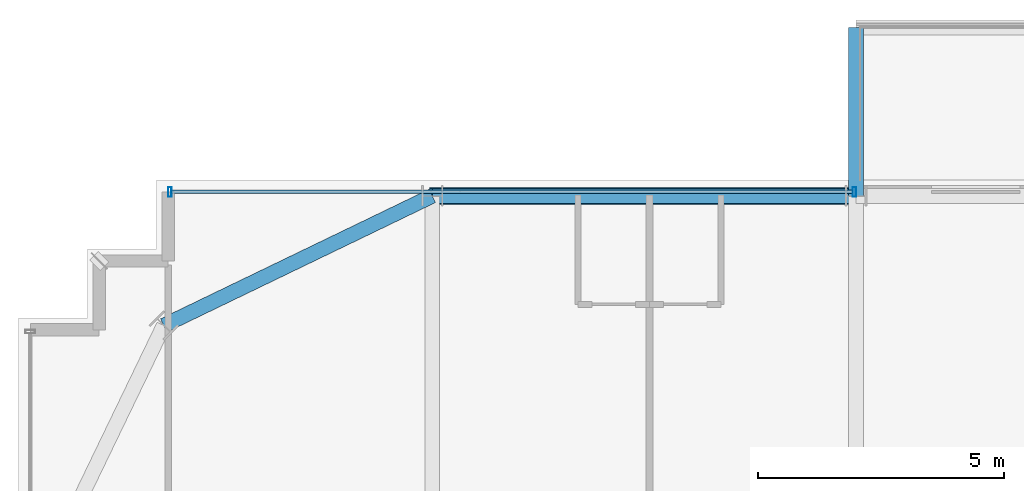
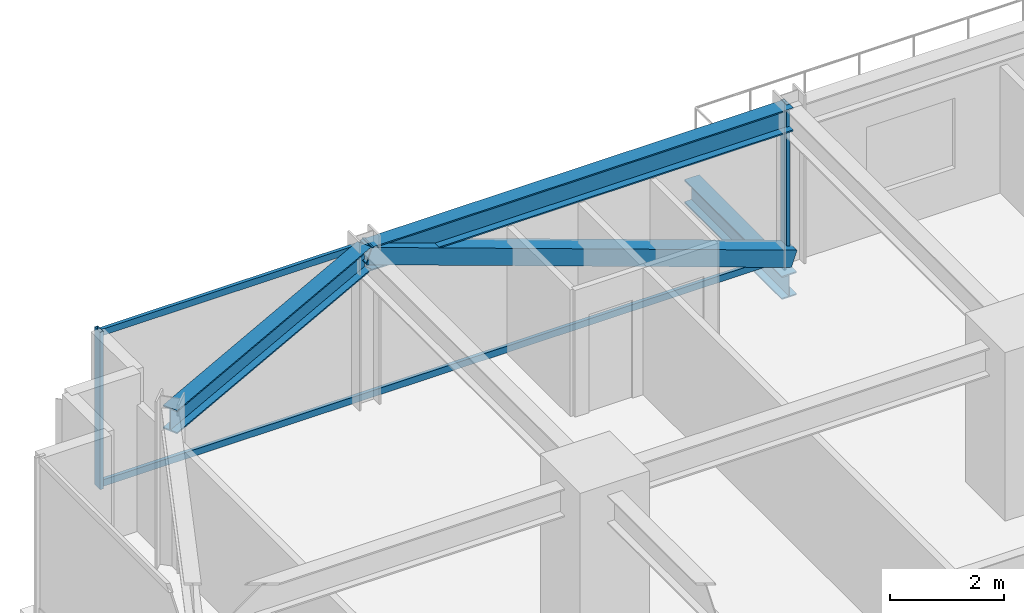
# One storey, part 28 of 47: 5 members, 3 beams, 1 element without a shape of its own.
"""IFC4 building model written with IfcOpenShell, lengths in metres."""

from ifc_helpers import new_model, si_unit, direction, frame, origin, origin_2d, place, context, subcontext, project, spatial, hollow_rectangle, i_section, extrude, source, transform, mapped, material, material_profile, profile_set, type_object, element, aggregate, save


model = new_model("IFC4")

# Units and contexts
model_context = context("Model", 3, precision=1e-05, world=origin(), true_north=direction((0.0, 1.0)))
body_context = subcontext(model_context, "Body", "Model", "MODEL_VIEW")
ifc_project = project(units=[si_unit("LENGTHUNIT", "METRE"), si_unit("AREAUNIT", "SQUARE_METRE"), si_unit("VOLUMEUNIT", "CUBIC_METRE"), si_unit("PLANEANGLEUNIT", "RADIAN"), si_unit("MASSUNIT", "GRAM", prefix="KILO")], contexts=[model_context])

# Site, building, storey
site_placement = place(None, origin())
site = spatial("IfcSite", under=ifc_project, at=site_placement, CompositionType="ELEMENT")
building_placement = place(site_placement, origin())
building = spatial("IfcBuilding", under=site, at=building_placement, Name="Nahalor Promenade Grand Hotel", CompositionType="ELEMENT")
storey_placement = place(building_placement, frame((0.0, 0.0, 68.89990234375)))
storey = spatial("IfcBuildingStorey", under=building, at=storey_placement, Name="L16", CompositionType="ELEMENT", Elevation=68.89990234375)

# Beams
ifc_material_1 = material(Name="Steel S355JR", Category="steel")
ifc_material_profile_1 = material_profile(ifc_material_1, i_section(OverallWidth=0.3, OverallDepth=0.5, WebThickness=0.0145, FlangeThickness=0.028, at=origin_2d()), Name="HEB 500")
ifc_profile_set_1 = profile_set([ifc_material_profile_1], Name="Steel S355JR")
beam_type_1 = type_object("IfcBeamType", Name="Beam-Outrigger-HEB500", PredefinedType="BEAM", material=ifc_profile_set_1)
shared_shape_1 = source(origin(), body_context, "Body", "SweptSolid", [
    extrude(i_section(OverallWidth=0.3, OverallDepth=0.5, WebThickness=0.0145, FlangeThickness=0.028, at=origin_2d()), origin(), (0.0, 0.0, 1.0), 3.419921875),
])
beam_1_placement = place(storey_placement, frame((-8.39990234375, 25.080078125, -0.52978515625), z_axis=(0.0, 1.0, 0.0), x_axis=(-1.0, 0.0, 0.0)))
element("IfcBeam", 1, at=beam_1_placement, inside=storey, type_object=beam_type_1, Name="BM-L16-BC-01-1", PredefinedType="BEAM", context=body_context, shape_type="MappedRepresentation", body=[
    mapped(shared_shape_1, transform((0.0, 0.0, 0.0), scale=1.0)),
])
ifc_material_profile_2 = material_profile(ifc_material_1, i_section(OverallWidth=0.3, OverallDepth=0.5, WebThickness=0.0145, FlangeThickness=0.028, at=origin_2d()), Name="HEB 500")
ifc_profile_set_2 = profile_set([ifc_material_profile_2], Name="Steel S355JR")
beam_type_2 = type_object("IfcBeamType", Name="Beam-Spandrel-HEB500", PredefinedType="SPANDREL", material=ifc_profile_set_2)
shared_shape_2 = source(origin(), body_context, "Body", "SweptSolid", [
    extrude(i_section(OverallWidth=0.3, OverallDepth=0.5, WebThickness=0.0145, FlangeThickness=0.028, at=origin_2d()), origin(), (0.0, 0.0, 1.0), 8.60009765625),
])
beam_2_placement = place(storey_placement, frame((-17.0, 25.080078125, 3.1201171875), z_axis=(1.0, 0.0, 0.0), x_axis=(0.0, 1.0, 0.0)))
element("IfcBeam", 2, at=beam_2_placement, inside=storey, type_object=beam_type_2, Name="BM-L16-SP-N-0", PredefinedType="SPANDREL", context=body_context, shape_type="MappedRepresentation", body=[
    mapped(shared_shape_2, transform((0.0, 0.0, 0.0), scale=1.0)),
])
shared_shape_3 = source(origin(), body_context, "Body", "SweptSolid", [
    extrude(i_section(OverallWidth=0.3, OverallDepth=0.5, WebThickness=0.0145, FlangeThickness=0.028, at=origin_2d()), origin(), (0.0, 0.0, 1.0), 6.051513671875),
])
beam_3_placement = place(storey_placement, frame((-17.0, 25.080078125, 3.1201171875), z_axis=(-0.900608818852, -0.434630596492, 0.0), x_axis=(0.434630596492, -0.900608818852, 0.0)))
element("IfcBeam", 3, at=beam_3_placement, inside=storey, type_object=beam_type_2, Name="BM-L16-SPC-NW-1", PredefinedType="SPANDREL", context=body_context, shape_type="MappedRepresentation", body=[
    mapped(shared_shape_3, transform((0.0, 0.0, 0.0), scale=1.0)),
])

# Member
ifc_material_profile_3 = material_profile(ifc_material_1, hollow_rectangle(XDim=0.35, YDim=0.35, WallThickness=0.02, at=origin_2d()), Name="SHS 350x350x20")
ifc_profile_set_3 = profile_set([ifc_material_profile_3], Name="Steel S355JR")
member_type_1 = type_object("IfcMemberType", Name="Mem-VoidBrace-SHS350", PredefinedType="BRACE", material=ifc_profile_set_3)
shared_shape_4 = source(origin(), body_context, "Body", "SweptSolid", [
    extrude(hollow_rectangle(XDim=0.35, YDim=0.35, WallThickness=0.02, at=origin_2d()), origin(), (0.0, 0.0, 1.0), 9.131591796875),
])
member_1_placement = place(storey_placement, frame((-8.39990234375, 25.080078125, 0.150146484375), z_axis=(-0.941790292179, 0.0, 0.336200900589), x_axis=(0.0, -1.0, 0.0)))
element("IfcMember", 4, at=member_1_placement, inside=storey, type_object=member_type_1, Name="EXO-L16-N-0", PredefinedType="BRACE", context=body_context, shape_type="MappedRepresentation", body=[
    mapped(shared_shape_4, transform((0.0, 0.0, 0.0), scale=1.0)),
])

# Curtain wall, members
ifc_material_2 = material(Name="Anodised Bronze Aluminium EN AW-6063 T6", Category="aluminium")
curtain_wall_type = type_object("IfcCurtainWallType", Name="CW3 Elliptical-Void Collar Unitised Curtain Wall", PredefinedType="USERDEFINED", material=ifc_material_2)
curtain_wall_placement = place(storey_placement, origin())
curtain_wall = element("IfcCurtainWall", 5, at=curtain_wall_placement, inside=storey, type_object=curtain_wall_type, Name="L16 Curtain Wall CW-L16-N-1", ObjectType="UNITISED_CURTAIN_WALL", PredefinedType="USERDEFINED")
ifc_material_profile_4 = material_profile(ifc_material_2, hollow_rectangle(XDim=0.07, YDim=0.2, WallThickness=0.005, at=origin_2d()), Name="CWM 70x200x5")
ifc_profile_set_4 = profile_set([ifc_material_profile_4], Name="Anodised Bronze Aluminium EN AW-6063 T6")
member_type_2 = type_object("IfcMemberType", Name="CWM3 Void Collar Mullion 70x200", PredefinedType="MULLION", material=ifc_profile_set_4)
shared_shape_5 = source(origin(), body_context, "Body", "SweptSolid", [
    extrude(hollow_rectangle(XDim=0.07, YDim=0.2, WallThickness=0.005, at=origin_2d()), origin(), (0.0, 0.0, 1.0), 3.3701171875),
])
member_2_placement = place(storey_placement, frame((-22.324951171875, 25.159912109375, 0.0), z_axis=(0.0, 0.0, 1.0), x_axis=(1.0, 0.0, 0.0)))
member_2 = element("IfcMember", 6, at=member_2_placement, type_object=member_type_2, Name="CW-L16-N-1 Mullion 0", PredefinedType="MULLION", context=body_context, shape_type="MappedRepresentation", body=[
    mapped(shared_shape_5, transform((0.0, 0.0, 0.0), scale=1.0)),
])
member_3_placement = place(storey_placement, frame((-8.43505859375, 25.159912109375, 0.0), z_axis=(0.0, 0.0, 1.0), x_axis=(1.0, 0.0, 0.0)))
member_3 = element("IfcMember", 7, at=member_3_placement, type_object=member_type_2, Name="CW-L16-N-1 Mullion 1", PredefinedType="MULLION", context=body_context, shape_type="MappedRepresentation", body=[
    mapped(shared_shape_5, transform((0.0, 0.0, 0.0), scale=1.0)),
])
ifc_material_profile_5 = material_profile(ifc_material_2, hollow_rectangle(XDim=0.07, YDim=0.14, WallThickness=0.004, at=origin_2d()), Name="CWT 70x140x4")
ifc_profile_set_5 = profile_set([ifc_material_profile_5], Name="Anodised Bronze Aluminium EN AW-6063 T6")
member_type_3 = type_object("IfcMemberType", Name="CWT3 Void Collar Transom 70x140", PredefinedType="USERDEFINED", material=ifc_profile_set_5)
shared_shape_6 = source(origin(), body_context, "Body", "SweptSolid", [
    extrude(hollow_rectangle(XDim=0.07, YDim=0.14, WallThickness=0.004, at=origin_2d()), origin(), (0.0, 0.0, 1.0), 13.820068359375),
])
member_4_placement = place(storey_placement, frame((-22.2900390625, 25.159912109375, 0.070068359375), z_axis=(1.0, 0.0, 0.0), x_axis=(0.0, 1.0, 0.0)))
member_4 = element("IfcMember", 8, at=member_4_placement, type_object=member_type_3, Name="CW-L16-N-1 Transom 0-0", ObjectType="TRANSOM", PredefinedType="USERDEFINED", context=body_context, shape_type="MappedRepresentation", body=[
    mapped(shared_shape_6, transform((0.0, 0.0, 0.0), scale=1.0)),
])
member_5_placement = place(storey_placement, frame((-22.2900390625, 25.159912109375, 3.300048828125), z_axis=(1.0, 0.0, 0.0), x_axis=(0.0, 1.0, 0.0)))
member_5 = element("IfcMember", 9, at=member_5_placement, type_object=member_type_3, Name="CW-L16-N-1 Transom 0-1", ObjectType="TRANSOM", PredefinedType="USERDEFINED", context=body_context, shape_type="MappedRepresentation", body=[
    mapped(shared_shape_6, transform((0.0, 0.0, 0.0), scale=1.0)),
])
aggregate(curtain_wall, [member_2, member_3, member_4, member_5])

save(model, "model.ifc")
